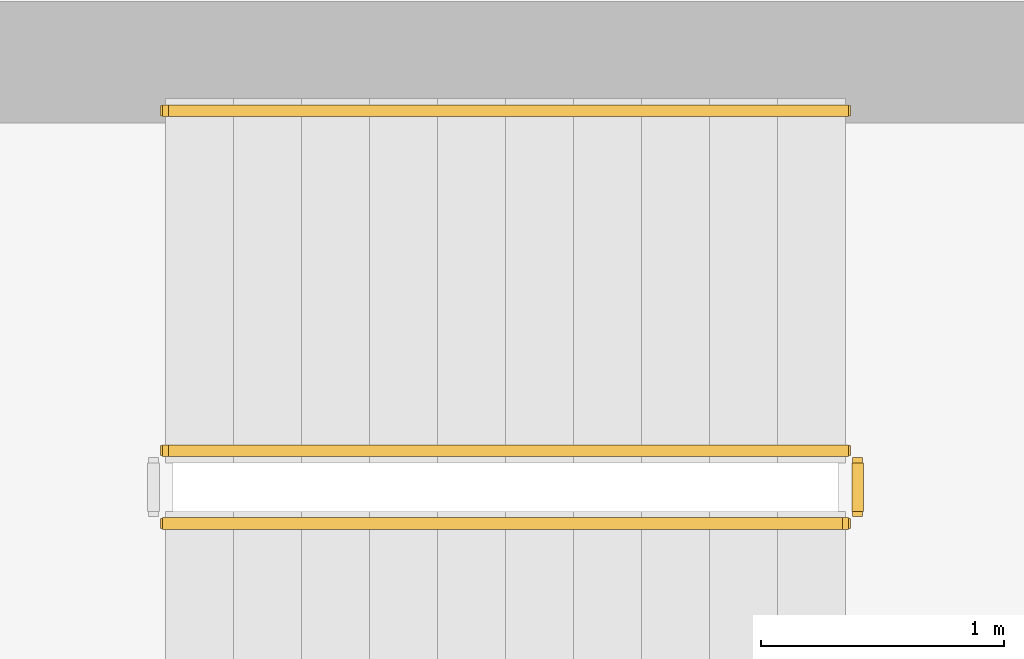
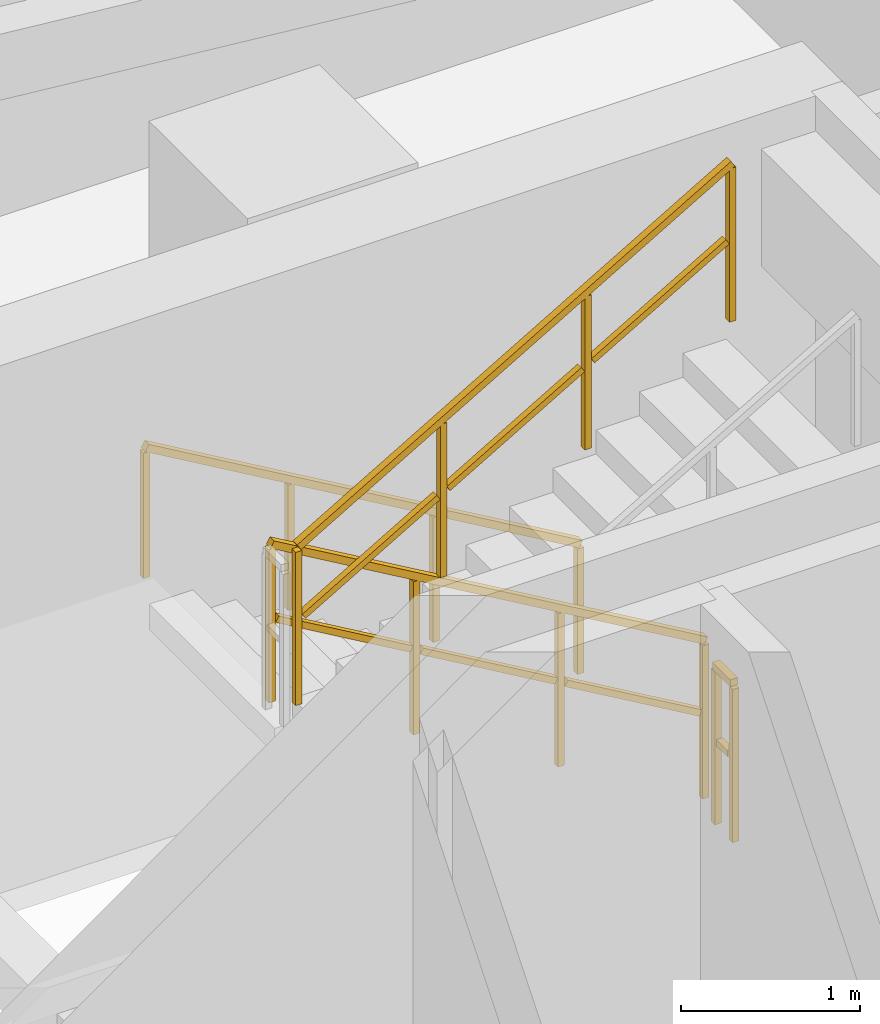
# One storey, part 31 of 33: 4 railings.
"""IFC4 building model written with IfcOpenShell, lengths in metres."""

from ifc_helpers import new_model, si_unit, direction, frame, origin, origin_2d, place, context, subcontext, project, spatial, rectangle, extrude, material, type_object, element, save


model = new_model("IFC4")

# Units and contexts
model_context = context("Model", 3, precision=1e-05, world=origin(), true_north=direction((0.0, 1.0)))
body_context = subcontext(model_context, "Body", "Model", "MODEL_VIEW")
ifc_project = project(units=[si_unit("LENGTHUNIT", "METRE"), si_unit("AREAUNIT", "SQUARE_METRE"), si_unit("VOLUMEUNIT", "CUBIC_METRE"), si_unit("PLANEANGLEUNIT", "RADIAN"), si_unit("MASSUNIT", "GRAM", prefix="KILO")], contexts=[model_context])

# Site, building, storey
site_placement = place(None, origin())
site = spatial("IfcSite", under=ifc_project, at=site_placement, CompositionType="ELEMENT")
building_placement = place(site_placement, origin())
building = spatial("IfcBuilding", under=site, at=building_placement, Name="Thornwick Lancets Civic Towers", CompositionType="ELEMENT")
storey_placement = place(building_placement, frame((0.0, 0.0, 167.10009765625)))
storey = spatial("IfcBuildingStorey", under=building, at=storey_placement, Name="L44", CompositionType="ELEMENT", Elevation=167.10009765625)

# Railings
ifc_material_1 = material(Name="Brushed stainless steel S355", Category="steel")
railing_type_1 = type_object("IfcRailingType", Name="RAIL_HANDRAIL", PredefinedType="HANDRAIL", material=ifc_material_1)
railing_1_placement = place(storey_placement, frame((31.60009765625, 38.949951171875, 0.16357421875)))
element("IfcRailing", 1, at=railing_1_placement, inside=storey, type_object=railing_type_1, Name="L44 ST-A2 stair handrail 1", PredefinedType="HANDRAIL", context=body_context, shape_type="SweptSolid", body=[
    extrude(rectangle(XDim=0.048095703125, YDim=0.048095703125, at=origin_2d()), frame((0.0, 0.0, 0.8857421875), z_axis=(-0.863393664356, 0.0, 0.504530851732), x_axis=(0.0, -1.0, 0.0)), (0.0, 0.0, 1.0), 3.2431640625),
    extrude(rectangle(XDim=0.0419921875, YDim=0.0419921875, at=origin_2d()), origin(), (0.0, 0.0, 1.0), 0.855712890625),
    extrude(rectangle(XDim=0.0419921875, YDim=0.0419921875, at=origin_2d()), frame((-0.933349609375, 0.0, 0.54541015625)), (0.0, 0.0, 1.0), 0.855712890625),
    extrude(rectangle(XDim=0.0419921875, YDim=0.0419921875, at=origin_2d()), frame((-1.86669921875, 0.0, 1.0908203125)), (0.0, 0.0, 1.0), 0.855712890625),
    extrude(rectangle(XDim=0.0419921875, YDim=0.0419921875, at=origin_2d()), frame((-2.800048828125, 0.0, 1.63623046875)), (0.0, 0.0, 1.0), 0.855712890625),
])
ifc_material_2 = material(Name="Steel S355JR", Category="steel")
railing_type_2 = type_object("IfcRailingType", Name="RAIL_STAIR_GUARD", PredefinedType="GUARDRAIL", material=ifc_material_2)
railing_2_placement = place(storey_placement, frame((31.60009765625, 37.550048828125, 0.16357421875)))
element("IfcRailing", 2, at=railing_2_placement, inside=storey, type_object=railing_type_2, Name="L44 ST-A2 stair guard 1", PredefinedType="GUARDRAIL", context=body_context, shape_type="SweptSolid", body=[
    extrude(rectangle(XDim=0.048095703125, YDim=0.048095703125, at=origin_2d()), frame((0.0, 0.0, 1.076171875), z_axis=(-0.863393664356, 0.0, 0.504530851732), x_axis=(0.0, -1.0, 0.0)), (0.0, 0.0, 1.0), 3.2431640625),
    extrude(rectangle(XDim=0.0419921875, YDim=0.0419921875, at=origin_2d()), frame((-0.032470703125, 0.0, 0.591064453125), z_axis=(-0.863393664356, 0.0, 0.504530851732), x_axis=(0.0, -1.0, 0.0)), (0.0, 0.0, 1.0), 1.006103515625),
    extrude(rectangle(XDim=0.0419921875, YDim=0.0419921875, at=origin_2d()), frame((-0.9658203125, 0.0, 1.136474609375), z_axis=(-0.863393664356, 0.0, 0.504530851732), x_axis=(0.0, -1.0, 0.0)), (0.0, 0.0, 1.0), 1.006103515625),
    extrude(rectangle(XDim=0.0419921875, YDim=0.0419921875, at=origin_2d()), frame((-1.899169921875, 0.0, 1.681884765625), z_axis=(-0.863393664356, 0.0, 0.504530851732), x_axis=(0.0, -1.0, 0.0)), (0.0, 0.0, 1.0), 1.006103515625),
    extrude(rectangle(XDim=0.0419921875, YDim=0.0419921875, at=origin_2d()), origin(), (0.0, 0.0, 1.0), 1.0458984375),
    extrude(rectangle(XDim=0.0419921875, YDim=0.0419921875, at=origin_2d()), frame((-0.933349609375, 0.0, 0.54541015625)), (0.0, 0.0, 1.0), 1.0458984375),
    extrude(rectangle(XDim=0.0419921875, YDim=0.0419921875, at=origin_2d()), frame((-1.86669921875, 0.0, 1.0908203125)), (0.0, 0.0, 1.0), 1.0458984375),
    extrude(rectangle(XDim=0.0419921875, YDim=0.0419921875, at=origin_2d()), frame((-2.800048828125, 0.0, 1.63623046875)), (0.0, 0.0, 1.0), 1.0458984375),
])
railing_3_placement = place(storey_placement, frame((28.800048828125, 37.25, 1.963623046875)))
element("IfcRailing", 3, at=railing_3_placement, inside=storey, type_object=railing_type_2, Name="L44 ST-A2 stair guard 3", PredefinedType="GUARDRAIL", context=body_context, shape_type="SweptSolid", body=[
    extrude(rectangle(XDim=0.048095703125, YDim=0.048095703125, at=origin_2d()), frame((0.0, 0.0, 1.076171875), z_axis=(0.863393664356, 0.0, 0.504530851732), x_axis=(0.0, 1.0, 0.0)), (0.0, 0.0, 1.0), 3.2431640625),
    extrude(rectangle(XDim=0.0419921875, YDim=0.0419921875, at=origin_2d()), frame((0.032470703125, 0.0, 0.591064453125), z_axis=(0.863393664356, 0.0, 0.504530851732), x_axis=(0.0, 1.0, 0.0)), (0.0, 0.0, 1.0), 1.006103515625),
    extrude(rectangle(XDim=0.0419921875, YDim=0.0419921875, at=origin_2d()), frame((0.9658203125, 0.0, 1.136474609375), z_axis=(0.863393664356, 0.0, 0.504530851732), x_axis=(0.0, 1.0, 0.0)), (0.0, 0.0, 1.0), 1.006103515625),
    extrude(rectangle(XDim=0.0419921875, YDim=0.0419921875, at=origin_2d()), frame((1.899169921875, 0.0, 1.681884765625), z_axis=(0.863393664356, 0.0, 0.504530851732), x_axis=(0.0, 1.0, 0.0)), (0.0, 0.0, 1.0), 1.006103515625),
    extrude(rectangle(XDim=0.0419921875, YDim=0.0419921875, at=origin_2d()), origin(), (0.0, 0.0, 1.0), 1.0458984375),
    extrude(rectangle(XDim=0.0419921875, YDim=0.0419921875, at=origin_2d()), frame((0.933349609375, 0.0, 0.54541015625)), (0.0, 0.0, 1.0), 1.0458984375),
    extrude(rectangle(XDim=0.0419921875, YDim=0.0419921875, at=origin_2d()), frame((1.86669921875, 0.0, 1.0908203125)), (0.0, 0.0, 1.0), 1.0458984375),
    extrude(rectangle(XDim=0.0419921875, YDim=0.0419921875, at=origin_2d()), frame((2.800048828125, 0.0, 1.63623046875)), (0.0, 0.0, 1.0), 1.0458984375),
])
railing_4_placement = place(storey_placement, frame((31.64990234375, 37.5, 0.0)))
element("IfcRailing", 4, at=railing_4_placement, inside=storey, type_object=railing_type_2, Name="L44 ST-A2 stair guard 4", PredefinedType="GUARDRAIL", context=body_context, shape_type="SweptSolid", body=[
    extrude(rectangle(XDim=0.048095703125, YDim=0.048095703125, at=origin_2d()), frame((0.0, 0.0, 1.076171875), z_axis=(0.0, -1.0, 0.0), x_axis=(1.0, 0.0, 0.0)), (0.0, 0.0, 1.0), 0.199951171875),
    extrude(rectangle(XDim=0.0419921875, YDim=0.0419921875, at=origin_2d()), frame((0.0, -0.03759765625, 0.572021484375), z_axis=(0.0, -1.0, 0.0), x_axis=(1.0, 0.0, 0.0)), (0.0, 0.0, 1.0), 0.125),
    extrude(rectangle(XDim=0.0419921875, YDim=0.0419921875, at=origin_2d()), origin(), (0.0, 0.0, 1.0), 1.0458984375),
    extrude(rectangle(XDim=0.0419921875, YDim=0.0419921875, at=origin_2d()), frame((0.0, -0.199951171875, 0.0)), (0.0, 0.0, 1.0), 1.0458984375),
])

save(model, "model.ifc")
